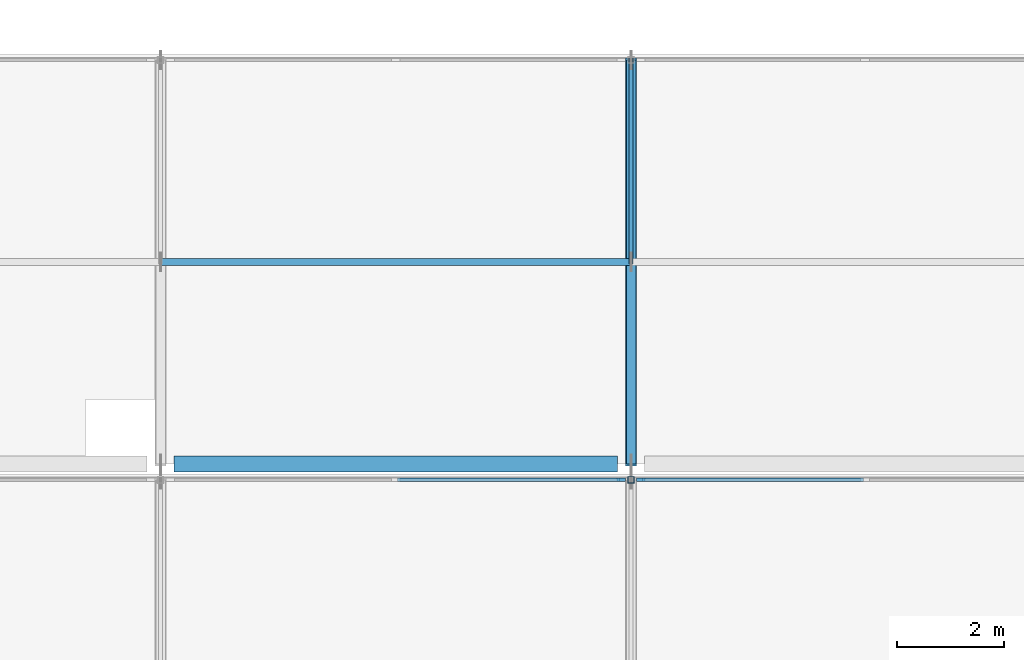
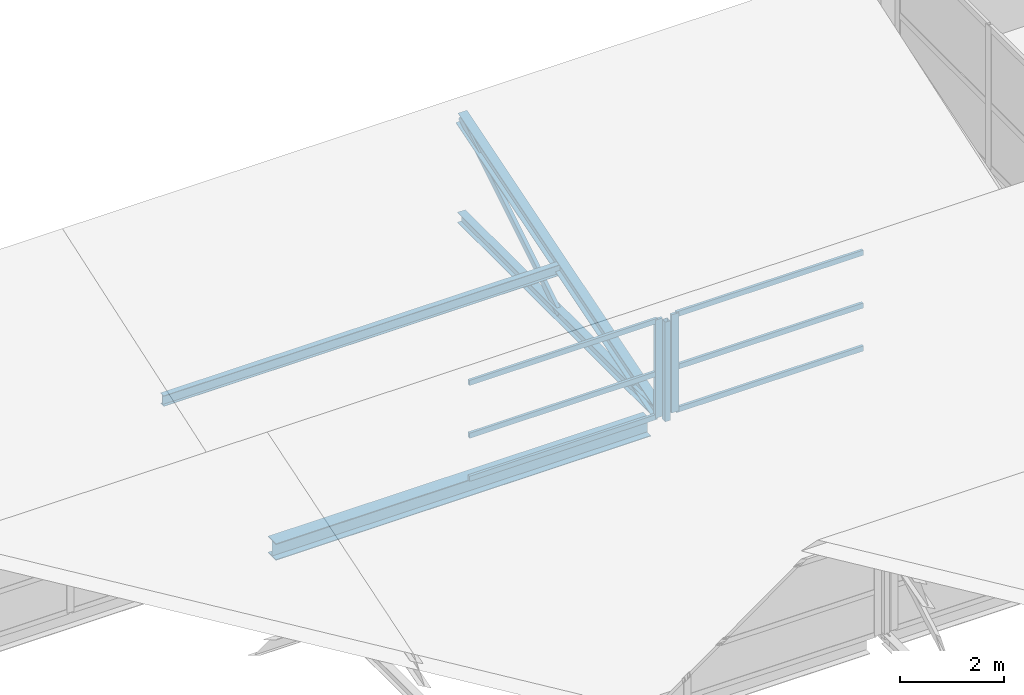
# One storey, part 16 of 40: 13 members, 1 beam, 2 elements without a shape of their own.
"""IFC4 building model written with IfcOpenShell, lengths in metres."""

import ifcopenshell
import ifcopenshell.guid

model = None  # the IFC model being written
_history = None  # IfcOwnerHistory: only IFC2X3 demands one
_inside = {}  # id of a spatial element -> (the spatial element, [elements in it])
_under = {}  # id of a project, library or spatial element -> (it, [spatial elements below it])
_declared = {}  # id of a project -> (the project, [libraries it declares])
_typed = {}  # id of a type object -> (the type object, [elements of that type])
_made_of = {}  # id of a material, layer set ... -> (it, [elements and type objects made of it])


def new_model(schema):
    """Start an empty IFC model of exactly this schema.

    Asked for "IFC4X3", IfcOpenShell would pick the latest addendum, in which some entities
    have other attributes; the version numbers below select the first issue.
    IFC2X3 requires an IfcOwnerHistory on every rooted entity: one is made here for all.
    """
    global model, _history
    if schema == "IFC4X3":
        model = ifcopenshell.file(schema_version=(4, 3, 0, 0))
    else:
        model = ifcopenshell.file(schema=schema)
    _inside.clear()
    _under.clear()
    _declared.clear()
    _typed.clear()
    _made_of.clear()
    _history = None
    if model.schema == "IFC2X3":
        org = make("IfcOrganization", Name="unknown")
        user = make(
            "IfcPersonAndOrganization",
            ThePerson=make("IfcPerson", FamilyName="unknown"),
            TheOrganization=org,
        )
        app = make(
            "IfcApplication",
            ApplicationDeveloper=org,
            Version="unknown",
            ApplicationFullName="unknown",
            ApplicationIdentifier="unknown",
        )
        _history = make(
            "IfcOwnerHistory",
            OwningUser=user,
            OwningApplication=app,
            ChangeAction="ADDED",
            CreationDate=0,
        )
    return model


def make(cls, **values):
    """One entity of the class cls with the attributes given. An attribute that is None is left unset."""
    return model.create_entity(
        cls, **{name: value for name, value in values.items() if value is not None}
    )


def rooted(cls, **values):
    """An entity with a GlobalId (a new one), such as an element, a storey or a relation."""
    return make(cls, GlobalId=ifcopenshell.guid.new(), OwnerHistory=_history, **values)


def si_unit(unit_type, name, prefix=None):
    """IfcSIUnit, for example si_unit("LENGTHUNIT", "METRE", prefix="MILLI")."""
    return make("IfcSIUnit", UnitType=unit_type, Prefix=prefix, Name=name)


def assignment(units):
    """IfcUnitAssignment: the units of a project."""
    return None if units is None else make("IfcUnitAssignment", Units=units)


def point(xyz):
    """IfcCartesianPoint."""
    return None if xyz is None else make("IfcCartesianPoint", Coordinates=xyz)


def direction(xyz):
    """IfcDirection."""
    return None if xyz is None else make("IfcDirection", DirectionRatios=xyz)


def frame(location, z_axis=None, x_axis=None):
    """IfcAxis2Placement3D, a coordinate frame: its origin and axes. An axis left out is left unset."""
    return make(
        "IfcAxis2Placement3D",
        Location=point(location),
        Axis=direction(z_axis),
        RefDirection=direction(x_axis),
    )


def frame_2d(location, x_axis=None):
    """IfcAxis2Placement2D, a coordinate frame in the plane: its origin and x axis."""
    return make(
        "IfcAxis2Placement2D", Location=point(location), RefDirection=direction(x_axis)
    )


def origin():
    """The frame at (0, 0, 0) with its axes left unset."""
    return frame((0.0, 0.0, 0.0))


def origin_2d():
    """The frame at (0, 0) in the plane with its x axis left unset."""
    return frame_2d((0.0, 0.0))


def place(relative_to, where):
    """IfcLocalPlacement: puts the frame where relative to a parent placement (None: the world)."""
    return make(
        "IfcLocalPlacement", PlacementRelTo=relative_to, RelativePlacement=where
    )


def context(
    kind, dimensions, precision=None, world=None, true_north=None, identifier=None
):
    """IfcGeometricRepresentationContext, for example the 3D "Model" context."""
    return make(
        "IfcGeometricRepresentationContext",
        ContextIdentifier=identifier,
        ContextType=kind,
        CoordinateSpaceDimension=dimensions,
        Precision=precision,
        WorldCoordinateSystem=world,
        TrueNorth=true_north,
    )


def subcontext(parent, identifier, kind, view, scale=None):
    """IfcGeometricRepresentationSubContext, for example "Body" below "Model"."""
    return make(
        "IfcGeometricRepresentationSubContext",
        ContextIdentifier=identifier,
        ContextType=kind,
        ParentContext=parent,
        TargetScale=scale,
        TargetView=view,
    )


def project(units=None, contexts=None):
    """IfcProject with its units and contexts."""
    return rooted(
        "IfcProject",
        Name="project",
        RepresentationContexts=contexts,
        UnitsInContext=assignment(units),
    )


def spatial(cls, under=None, at=None, **own):
    """A site, building, storey or space (cls), placed at a placement, below another one or the project."""
    s = rooted(cls, ObjectPlacement=at, **own)
    if under is not None:
        _under.setdefault(under.id(), (under, []))[1].append(s)
    return s


def profile(cls, at=None, kind="AREA", **sizes):
    """A parametric profile (cls). Its sizes go by their IFC names, for example OverallWidth=200.0."""
    return make(cls, ProfileType=kind, Position=at, **sizes)


def rectangle(**sizes):
    """IfcRectangleProfileDef."""
    return profile("IfcRectangleProfileDef", **sizes)


def hollow_rectangle(**sizes):
    """IfcRectangleHollowProfileDef."""
    return profile("IfcRectangleHollowProfileDef", **sizes)


def i_section(**sizes):
    """IfcIShapeProfileDef."""
    return profile("IfcIShapeProfileDef", **sizes)


def extrude(swept, where, along, depth):
    """IfcExtrudedAreaSolid: the profile swept, set in the frame where, extruded along a direction by depth."""
    return make(
        "IfcExtrudedAreaSolid",
        SweptArea=swept,
        Position=where,
        ExtrudedDirection=direction(along),
        Depth=depth,
    )


def shape(context_of_items, identifier, shape_type, items):
    """IfcShapeRepresentation: the items that make up one representation, for example the "Body"."""
    return make(
        "IfcShapeRepresentation",
        ContextOfItems=context_of_items,
        RepresentationIdentifier=identifier,
        RepresentationType=shape_type,
        Items=items,
    )


def material(Name=None, Category=None):
    """IfcMaterial."""
    return make("IfcMaterial", Name=Name, Category=Category)


def material_profile(
    of_material, cross_section, Name=None, Category=None, Priority=None
):
    """IfcMaterialProfile: a cross section and its material."""
    return make(
        "IfcMaterialProfile",
        Name=Name,
        Material=of_material,
        Profile=cross_section,
        Priority=Priority,
        Category=Category,
    )


def profile_set(profiles, Name=None, composite=None):
    """IfcMaterialProfileSet."""
    return make(
        "IfcMaterialProfileSet",
        Name=Name,
        MaterialProfiles=profiles,
        CompositeProfile=composite,
    )


def made_of(thing, what):
    """Note that an element or type object is made of a material, layer set ...; save() writes the relation."""
    if what is not None:
        _made_of.setdefault(what.id(), (what, []))[1].append(thing)
    return thing


def type_object(cls, material=None, **own):
    """A type object (cls), such as IfcWallType, which elements share."""
    return made_of(rooted(cls, **own), material)


def element(
    cls,
    number,
    at=None,
    inside=None,
    cuts=None,
    type_object=None,
    material=None,
    context=None,
    identifier="Body",
    shape_type=None,
    held_by="IfcProductDefinitionShape",
    body=None,
    shapes=None,
    **own,
):
    """One element of the class cls, such as IfcWall. Its Tag is "e" and its number.

    at: its placement. inside: the storey or other place that contains it. cuts: it is an
    opening in that element (IfcRelVoidsElement). A single representation is given by context,
    identifier, shape_type and body (its items); several are given by shapes. held_by: the class
    of the entity that holds the representations. save() writes the other relations.
    """
    e = rooted(cls, Tag="e%d" % number, ObjectPlacement=at, **own)
    if body is not None:
        shapes = [shape(context, identifier, shape_type, body)]
    if shapes is not None:
        e.Representation = make(held_by, Representations=shapes)
    if inside is not None:
        _inside.setdefault(inside.id(), (inside, []))[1].append(e)
    if cuts is not None:
        rooted(
            "IfcRelVoidsElement", RelatingBuildingElement=cuts, RelatedOpeningElement=e
        )
    if type_object is not None:
        _typed.setdefault(type_object.id(), (type_object, []))[1].append(e)
    return made_of(e, material)


def aggregate(whole, parts):
    """IfcRelAggregates: a whole, such as a stair, and the parts it consists of."""
    return rooted("IfcRelAggregates", RelatingObject=whole, RelatedObjects=parts)


def save(model, path):
    """Write the relations noted so far, then the file.

    IfcRelAggregates (storeys below a building ...), IfcRelContainedInSpatialStructure (elements
    in a storey), IfcRelDefinesByType, IfcRelAssociatesMaterial and IfcRelDeclares: one each for
    every whole, place, type object, material and project.
    """
    for whole, parts in _under.values():
        aggregate(whole, parts)
    for where, things in _inside.values():
        rooted(
            "IfcRelContainedInSpatialStructure",
            RelatedElements=things,
            RelatingStructure=where,
        )
    for kind, things in _typed.values():
        rooted("IfcRelDefinesByType", RelatedObjects=things, RelatingType=kind)
    for what, things in _made_of.values():
        rooted("IfcRelAssociatesMaterial", RelatedObjects=things, RelatingMaterial=what)
    for by, libraries in _declared.values():
        rooted("IfcRelDeclares", RelatingContext=by, RelatedDefinitions=libraries)
    model.write(path)


model = new_model("IFC4")

# Units and contexts
model_context = context("Model", 3, precision=1e-05, world=origin(), true_north=direction((0.0, 1.0)))
body_context = subcontext(model_context, "Body", "Model", "MODEL_VIEW")
ifc_project = project(units=[si_unit("LENGTHUNIT", "METRE"), si_unit("AREAUNIT", "SQUARE_METRE"), si_unit("VOLUMEUNIT", "CUBIC_METRE"), si_unit("PLANEANGLEUNIT", "RADIAN"), si_unit("MASSUNIT", "GRAM", prefix="KILO")], contexts=[model_context])

# Site, building, storey
site_placement = place(None, origin())
site = spatial("IfcSite", under=ifc_project, at=site_placement, CompositionType="ELEMENT")
building_placement = place(site_placement, origin())
building = spatial("IfcBuilding", under=site, at=building_placement, Name="Brinegate Botanical Conservatory", CompositionType="ELEMENT")
storey_placement = place(building_placement, frame((0.0, 0.0, 19.199951171875)))
storey = spatial("IfcBuildingStorey", under=building, at=storey_placement, Name="L05", CompositionType="ELEMENT", Elevation=19.199951171875)

# Beam
ifc_material_1 = material(Name="Structural steel Q355B / S355", Category="steel")
ifc_material_profile_1 = material_profile(ifc_material_1, i_section(OverallWidth=0.300048828125, OverallDepth=0.389892578125, WebThickness=0.010009765625, FlangeThickness=0.01611328125, at=origin_2d()), Name="HM 390x300x10x16")
ifc_profile_set_1 = profile_set([ifc_material_profile_1], Name="Structural steel Q355B / S355")
beam_type = type_object("IfcBeamType", Name="Beam_BM-S5", PredefinedType="BEAM", material=ifc_profile_set_1)
beam_placement = place(storey_placement, frame((103.85009765625, 103.60009765625, -0.179931640625), z_axis=(1.0, 0.0, 0.0), x_axis=(0.0, 1.0, 0.0)))
element("IfcBeam", 1, at=beam_placement, inside=storey, type_object=beam_type, Name="Sawtooth valley girder BM-S5 B3.7", PredefinedType="BEAM", context=body_context, shape_type="SweptSolid", body=[
    extrude(i_section(OverallWidth=0.300048828125, OverallDepth=0.389892578125, WebThickness=0.010009765625, FlangeThickness=0.01611328125, at=origin_2d()), origin(), (0.0, 0.0, 1.0), 8.2998046875),
])

# Curtain wall, member
ifc_material_2 = material(Name="Thermally broken anodised aluminium AW-6063-T6", Category="aluminium")
curtain_wall_type = type_object("IfcCurtainWallType", Name="CW_CW-SAW", PredefinedType="USERDEFINED", material=ifc_material_2)
curtain_wall_1_placement = place(storey_placement, origin())
curtain_wall_1 = element("IfcCurtainWall", 2, at=curtain_wall_1_placement, inside=storey, type_object=curtain_wall_type, Name="Sawtooth north-light clerestory B2.7", ObjectType="FACTORY CURTAIN WALL", PredefinedType="USERDEFINED")
ifc_material_profile_2 = material_profile(ifc_material_2, rectangle(XDim=0.06005859375, YDim=0.159912109375, at=origin_2d()), Name="ALUM MULLION 60x160")
ifc_profile_set_2 = profile_set([ifc_material_profile_2], Name="Thermally broken anodised aluminium AW-6063-T6")
member_type_1 = type_object("IfcMemberType", Name="Member_ML-01", PredefinedType="MULLION", material=ifc_profile_set_2)
member_1_placement = place(storey_placement, frame((112.219970703125, 103.300048828125, 0.150146484375), z_axis=(0.0, 0.0, 1.0), x_axis=(0.0, 1.0, 0.0)))
member_1 = element("IfcMember", 3, at=member_1_placement, type_object=member_type_1, Name="CW-SAW mullion 3", PredefinedType="MULLION", context=body_context, shape_type="SweptSolid", body=[
    extrude(rectangle(XDim=0.06005859375, YDim=0.159912109375, at=origin_2d()), origin(), (0.0, 0.0, 1.0), 2.2998046875),
])

curtain_wall_2_placement = place(storey_placement, origin())
curtain_wall_2 = element("IfcCurtainWall", 4, at=curtain_wall_2_placement, inside=storey, type_object=curtain_wall_type, Name="Sawtooth north-light clerestory B2.8", ObjectType="FACTORY CURTAIN WALL", PredefinedType="USERDEFINED")
member_2_placement = place(storey_placement, frame((112.580078125, 103.300048828125, 0.150146484375), z_axis=(0.0, 0.0, 1.0), x_axis=(0.0, 1.0, 0.0)))
member_2 = element("IfcMember", 5, at=member_2_placement, type_object=member_type_1, Name="CW-SAW mullion 1", PredefinedType="MULLION", context=body_context, shape_type="SweptSolid", body=[
    extrude(rectangle(XDim=0.06005859375, YDim=0.159912109375, at=origin_2d()), origin(), (0.0, 0.0, 1.0), 2.2998046875),
])

# Members
ifc_material_profile_3 = material_profile(ifc_material_1, hollow_rectangle(XDim=0.080078125, YDim=0.159912109375, WallThickness=0.006103515625, at=origin_2d()), Name="RHS 160x80x6")
ifc_profile_set_3 = profile_set([ifc_material_profile_3], Name="Structural steel Q355B / S355")
member_type_2 = type_object("IfcMemberType", Name="Member_SB-01", PredefinedType="BRACE", material=ifc_profile_set_3)
member_3_placement = place(storey_placement, frame((112.39990234375, 107.375, 0.02001953125), z_axis=(0.0, 0.850947042806, 0.525251492468), x_axis=(-1.0, 0.0, 0.0)))
element("IfcMember", 6, at=member_3_placement, inside=storey, type_object=member_type_2, Name="Sawtooth web diagonal SB-01 B3.T8", PredefinedType="BRACE", context=body_context, shape_type="SweptSolid", body=[
    extrude(hollow_rectangle(XDim=0.080078125, YDim=0.159912109375, WallThickness=0.006103515625, at=origin_2d()), origin(), (0.0, 0.0, 1.0), 4.43603515625),
])
ifc_material_profile_4 = material_profile(ifc_material_1, i_section(OverallWidth=0.199951171875, OverallDepth=0.2939453125, WebThickness=0.008056640625, FlangeThickness=0.011962890625, at=origin_2d()), Name="HM 294x200x8x12")
ifc_profile_set_4 = profile_set([ifc_material_profile_4], Name="Structural steel Q355B / S355")
member_type_3 = type_object("IfcMemberType", Name="Member_SC-01", PredefinedType="CHORD", material=ifc_profile_set_4)
member_4_placement = place(storey_placement, frame((112.39990234375, 103.60009765625, 0.02001953125), z_axis=(0.0, 0.955527457741, 0.294902149032), x_axis=(-1.0, 0.0, 0.0)))
element("IfcMember", 7, at=member_4_placement, inside=storey, type_object=member_type_3, Name="Sawtooth rafter chord SC-01 B3.T8", PredefinedType="CHORD", context=body_context, shape_type="SweptSolid", body=[
    extrude(i_section(OverallWidth=0.199951171875, OverallDepth=0.2939453125, WebThickness=0.008056640625, FlangeThickness=0.011962890625, at=origin_2d()), origin(), (0.0, 0.0, 1.0), 7.901123046875),
])
ifc_material_profile_5 = material_profile(ifc_material_1, i_section(OverallWidth=0.175048828125, OverallDepth=0.243896484375, WebThickness=0.007080078125, FlangeThickness=0.010986328125, at=origin_2d()), Name="HM 244x175x7x11")
ifc_profile_set_5 = profile_set([ifc_material_profile_5], Name="Structural steel Q355B / S355")
member_type_4 = type_object("IfcMemberType", Name="Member_SC-02", PredefinedType="CHORD", material=ifc_profile_set_5)
member_5_placement = place(storey_placement, frame((112.39990234375, 103.60009765625, 0.02001953125), z_axis=(0.0, 1.0, 0.0), x_axis=(-1.0, 0.0, 0.0)))
element("IfcMember", 8, at=member_5_placement, inside=storey, type_object=member_type_4, Name="Sawtooth bottom tie SC-02 B3.T8", PredefinedType="CHORD", context=body_context, shape_type="SweptSolid", body=[
    extrude(i_section(OverallWidth=0.175048828125, OverallDepth=0.243896484375, WebThickness=0.007080078125, FlangeThickness=0.010986328125, at=origin_2d()), origin(), (0.0, 0.0, 1.0), 7.5498046875),
])
ifc_material_profile_6 = material_profile(ifc_material_1, i_section(OverallWidth=0.125, OverallDepth=0.25, WebThickness=0.006103515625, FlangeThickness=0.009033203125, at=origin_2d()), Name="HN 250x125x6x9")
ifc_profile_set_6 = profile_set([ifc_material_profile_6], Name="Structural steel Q355B / S355")
member_type_5 = type_object("IfcMemberType", Name="Member_SPU-01", PredefinedType="PURLIN", material=ifc_profile_set_6)
member_6_placement = place(storey_placement, frame((103.60009765625, 107.375, 1.094970703125), z_axis=(1.0, 0.0, 0.0), x_axis=(0.0, 1.0, 0.0)))
element("IfcMember", 9, at=member_6_placement, inside=storey, type_object=member_type_5, Name="Sawtooth roof purlin SPU-01 B3.7", PredefinedType="PURLIN", context=body_context, shape_type="SweptSolid", body=[
    extrude(i_section(OverallWidth=0.125, OverallDepth=0.25, WebThickness=0.006103515625, FlangeThickness=0.009033203125, at=origin_2d()), origin(), (0.0, 0.0, 1.0), 8.7998046875),
])
ifc_material_profile_7 = material_profile(ifc_material_1, hollow_rectangle(XDim=0.1201171875, YDim=0.1201171875, WallThickness=0.006103515625, at=origin_2d()), Name="SHS 120x120x6")
ifc_profile_set_7 = profile_set([ifc_material_profile_7], Name="Structural steel Q355B / S355")
member_type_6 = type_object("IfcMemberType", Name="Member_SS-01", PredefinedType="STRUT", material=ifc_profile_set_7)
member_7_placement = place(storey_placement, frame((112.39990234375, 103.300048828125, 0.02001953125), z_axis=(0.0, 0.0, 1.0), x_axis=(1.0, 0.0, 0.0)))
element("IfcMember", 10, at=member_7_placement, inside=storey, type_object=member_type_6, Name="Sawtooth north clerestory post SS-01 B2.T8", PredefinedType="STRUT", context=body_context, shape_type="SweptSolid", body=[
    extrude(hollow_rectangle(XDim=0.1201171875, YDim=0.1201171875, WallThickness=0.006103515625, at=origin_2d()), origin(), (0.0, 0.0, 1.0), 2.330078125),
])

# Member
ifc_material_profile_8 = material_profile(ifc_material_2, rectangle(XDim=0.06005859375, YDim=0.1201171875, at=origin_2d()), Name="ALUM TRANSOM 60x120")
ifc_profile_set_8 = profile_set([ifc_material_profile_8], Name="Thermally broken anodised aluminium AW-6063-T6")
member_type_7 = type_object("IfcMemberType", Name="Member_TR-01", PredefinedType="USERDEFINED", material=ifc_profile_set_8)
member_8_placement = place(storey_placement, frame((108.030029296875, 103.300048828125, 0.179931640625), z_axis=(1.0, 0.0, 0.0), x_axis=(0.0, 1.0, 0.0)))
member_8 = element("IfcMember", 11, at=member_8_placement, type_object=member_type_7, Name="CW-SAW transom 2.1", ObjectType="TRANSOM", PredefinedType="USERDEFINED", context=body_context, shape_type="SweptSolid", body=[
    extrude(rectangle(XDim=0.06005859375, YDim=0.1201171875, at=origin_2d()), origin(), (0.0, 0.0, 1.0), 4.159912109375),
])

member_9_placement = place(storey_placement, frame((108.030029296875, 103.300048828125, 1.18505859375), z_axis=(1.0, 0.0, 0.0), x_axis=(0.0, 1.0, 0.0)))
member_9 = element("IfcMember", 12, at=member_9_placement, type_object=member_type_7, Name="CW-SAW transom 2.2", ObjectType="TRANSOM", PredefinedType="USERDEFINED", context=body_context, shape_type="SweptSolid", body=[
    extrude(rectangle(XDim=0.06005859375, YDim=0.1201171875, at=origin_2d()), origin(), (0.0, 0.0, 1.0), 4.159912109375),
])

member_10_placement = place(storey_placement, frame((108.030029296875, 103.300048828125, 2.420166015625), z_axis=(1.0, 0.0, 0.0), x_axis=(0.0, 1.0, 0.0)))
member_10 = element("IfcMember", 13, at=member_10_placement, type_object=member_type_7, Name="CW-SAW transom 2.3", ObjectType="TRANSOM", PredefinedType="USERDEFINED", context=body_context, shape_type="SweptSolid", body=[
    extrude(rectangle(XDim=0.06005859375, YDim=0.1201171875, at=origin_2d()), origin(), (0.0, 0.0, 1.0), 4.159912109375),
])

aggregate(curtain_wall_1, [member_1, member_8, member_9, member_10])

member_11_placement = place(storey_placement, frame((112.610107421875, 103.300048828125, 0.179931640625), z_axis=(1.0, 0.0, 0.0), x_axis=(0.0, 1.0, 0.0)))
member_11 = element("IfcMember", 14, at=member_11_placement, type_object=member_type_7, Name="CW-SAW transom 1.1", ObjectType="TRANSOM", PredefinedType="USERDEFINED", context=body_context, shape_type="SweptSolid", body=[
    extrude(rectangle(XDim=0.06005859375, YDim=0.1201171875, at=origin_2d()), origin(), (0.0, 0.0, 1.0), 4.135009765625),
])

member_12_placement = place(storey_placement, frame((112.610107421875, 103.300048828125, 1.18505859375), z_axis=(1.0, 0.0, 0.0), x_axis=(0.0, 1.0, 0.0)))
member_12 = element("IfcMember", 15, at=member_12_placement, type_object=member_type_7, Name="CW-SAW transom 1.2", ObjectType="TRANSOM", PredefinedType="USERDEFINED", context=body_context, shape_type="SweptSolid", body=[
    extrude(rectangle(XDim=0.06005859375, YDim=0.1201171875, at=origin_2d()), origin(), (0.0, 0.0, 1.0), 4.135009765625),
])

member_13_placement = place(storey_placement, frame((112.610107421875, 103.300048828125, 2.420166015625), z_axis=(1.0, 0.0, 0.0), x_axis=(0.0, 1.0, 0.0)))
member_13 = element("IfcMember", 16, at=member_13_placement, type_object=member_type_7, Name="CW-SAW transom 1.3", ObjectType="TRANSOM", PredefinedType="USERDEFINED", context=body_context, shape_type="SweptSolid", body=[
    extrude(rectangle(XDim=0.06005859375, YDim=0.1201171875, at=origin_2d()), origin(), (0.0, 0.0, 1.0), 4.135009765625),
])

aggregate(curtain_wall_2, [member_2, member_11, member_12, member_13])

save(model, "model.ifc")
